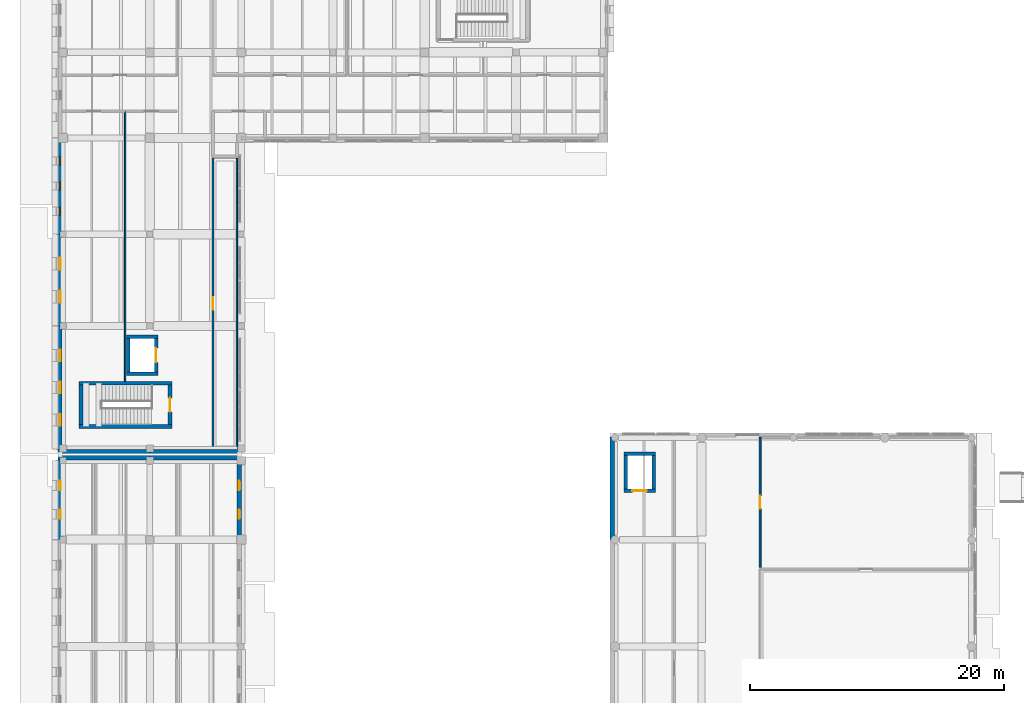
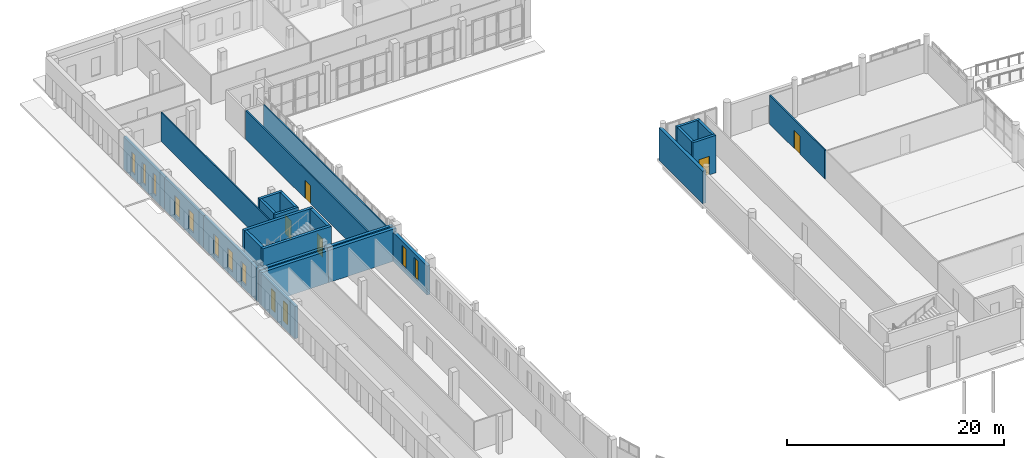
# One storey, part 56 of 77: 26 walls, 12 windows, 5 doors, 17 openings.
"""IFC4 building model written with IfcOpenShell, lengths in metres."""

from ifc_helpers import new_model, si_unit, direction, frame, frame_2d, origin, place, context, subcontext, project, spatial, rectangle, extrude, material, layer, layer_set, type_object, element, fill, save


model = new_model("IFC4")

# Units and contexts
model_context = context("Model", 3, precision=1e-05, world=origin(), true_north=direction((0.0, 1.0)))
body_context = subcontext(model_context, "Body", "Model", "MODEL_VIEW")
ifc_project = project(units=[si_unit("LENGTHUNIT", "METRE"), si_unit("AREAUNIT", "SQUARE_METRE"), si_unit("VOLUMEUNIT", "CUBIC_METRE"), si_unit("PLANEANGLEUNIT", "RADIAN"), si_unit("MASSUNIT", "GRAM", prefix="KILO")], contexts=[model_context])

# Site, building, storey
site_placement = place(None, origin())
site = spatial("IfcSite", under=ifc_project, at=site_placement, CompositionType="ELEMENT")
building_placement = place(site_placement, origin())
building = spatial("IfcBuilding", under=site, at=building_placement, Name="Vardoun Plaza Health Centre", CompositionType="ELEMENT")
storey_placement = place(building_placement, origin())
storey = spatial("IfcBuildingStorey", under=building, at=storey_placement, Name="L00", CompositionType="ELEMENT", Elevation=0.0)

# Walls
ifc_material_1 = material(Name="Concrete C40/50", Category="concrete")
ifc_layer_1 = layer(ifc_material_1, 0.27001953125)
ifc_layer_set_1 = layer_set([ifc_layer_1], Name="Concrete C40/50")
wall_type_1 = type_object("IfcWallType", Name="SW-03", PredefinedType="SHEAR", material=ifc_layer_set_1)
wall_1_placement = place(storey_placement, frame((12.3349609375, 82.949951171875, 0.0), z_axis=(0.0, 0.0, 1.0), x_axis=(-1.0, 0.0, 0.0)))
element("IfcWall", 1, at=wall_1_placement, inside=storey, type_object=wall_type_1, Name="Lift LP-01 L00 Shaft Wall S", PredefinedType="SHEAR", context=body_context, shape_type="SweptSolid", body=[
    extrude(rectangle(XDim=2.469970703125, YDim=0.27001953125, at=frame_2d((1.23486328125, 0.0))), origin(), (0.0, 0.0, 1.0), 4.235107421875),
])
wall_2_placement = place(storey_placement, frame((10.0, 83.0849609375, 0.0), z_axis=(0.0, 0.0, 1.0), x_axis=(0.0, 1.0, 0.0)))
element("IfcWall", 2, at=wall_2_placement, inside=storey, type_object=wall_type_1, Name="Lift LP-01 L00 Shaft Wall W", PredefinedType="SHEAR", context=body_context, shape_type="SweptSolid", body=[
    extrude(rectangle(XDim=2.630126953125, YDim=0.27001953125, at=frame_2d((1.31494140625, 0.0))), origin(), (0.0, 0.0, 1.0), 4.235107421875),
])
wall_3_placement = place(storey_placement, frame((9.864990234375, 85.85009765625, 0.0), z_axis=(0.0, 0.0, 1.0), x_axis=(1.0, 0.0, 0.0)))
element("IfcWall", 3, at=wall_3_placement, inside=storey, type_object=wall_type_1, Name="Lift LP-01 L00 Shaft Wall N", PredefinedType="SHEAR", context=body_context, shape_type="SweptSolid", body=[
    extrude(rectangle(XDim=2.469970703125, YDim=0.27001953125, at=frame_2d((1.23486328125, 0.0))), origin(), (0.0, 0.0, 1.0), 4.235107421875),
])

# Wall, opening, door
wall_4_placement = place(storey_placement, frame((12.199951171875, 85.715087890625, 0.0), z_axis=(0.0, 0.0, 1.0), x_axis=(0.0, -1.0, 0.0)))
wall_4 = element("IfcWall", 4, at=wall_4_placement, inside=storey, type_object=wall_type_1, Name="Lift LP-01 L00 Shaft Wall E", PredefinedType="SHEAR", context=body_context, shape_type="SweptSolid", body=[
    extrude(rectangle(XDim=2.630126953125, YDim=0.27001953125, at=frame_2d((1.31494140625, 0.0))), origin(), (0.0, 0.0, 1.0), 4.235107421875),
])
opening_1_placement = place(wall_4_placement, frame((0.7548828125, 0.0, 0.0)))
opening_1 = element("IfcOpeningElement", 5, at=opening_1_placement, cuts=wall_4, Name="Opening LD-LP-01-L00", PredefinedType="OPENING", context=body_context, shape_type="SweptSolid", body=[
    extrude(rectangle(XDim=1.1201171875, YDim=2.10009765625, at=frame_2d((0.56005859375, 1.050048828125))), frame((0.0, 0.135009765625, 0.0), z_axis=(0.0, -1.0, 0.0), x_axis=(1.0, 0.0, 0.0)), (0.0, 0.0, 1.0), 0.27001953125),
])
ifc_material_2 = material(Name="Brushed Stainless Steel Grade 316L", Category="steel")
door_type_1 = type_object("IfcDoorType", Name="LD-01", OperationType="DOUBLE_DOOR_SLIDING", PredefinedType="DOOR", material=ifc_material_2)
door_1_placement = place(opening_1_placement, origin())
door_1 = element("IfcDoor", 6, at=door_1_placement, inside=storey, type_object=door_type_1, Name="Lift LP-01 L00 Sliding Landing Door", OperationType="DOUBLE_DOOR_SLIDING", OverallHeight=2.10009765625, OverallWidth=1.1201171875, PredefinedType="DOOR", context=body_context, shape_type="SweptSolid", body=[
    extrude(rectangle(XDim=1.1201171875, YDim=2.10009765625, at=frame_2d((0.56005859375, 1.050048828125))), frame((0.0, 0.02490234375, 0.0), z_axis=(0.0, -1.0, 0.0), x_axis=(1.0, 0.0, 0.0)), (0.0, 0.0, 1.0), 0.050048828125),
])
fill(opening_1, door_1)

wall_5_placement = place(storey_placement, frame((51.43505859375, 73.75, 0.0), z_axis=(0.0, 0.0, 1.0), x_axis=(-1.0, 0.0, 0.0)))
wall_5 = element("IfcWall", 7, at=wall_5_placement, inside=storey, type_object=wall_type_1, Name="Lift LP-02 L00 Shaft Wall S", PredefinedType="SHEAR", context=body_context, shape_type="SweptSolid", body=[
    extrude(rectangle(XDim=2.469970703125, YDim=0.27001953125, at=frame_2d((1.23486328125, 0.0))), origin(), (0.0, 0.0, 1.0), 4.219970703125),
])
opening_2_placement = place(wall_5_placement, frame((0.675048828125, 0.0, 0.0)))
opening_2 = element("IfcOpeningElement", 8, at=opening_2_placement, cuts=wall_5, Name="Opening LD-LP-02-L00", PredefinedType="OPENING", context=body_context, shape_type="SweptSolid", body=[
    extrude(rectangle(XDim=1.1201171875, YDim=2.10009765625, at=frame_2d((0.56005859375, 1.050048828125))), frame((0.0, 0.135009765625, 0.0), z_axis=(0.0, -1.0, 0.0), x_axis=(1.0, 0.0, 0.0)), (0.0, 0.0, 1.0), 0.27001953125),
])
door_2_placement = place(opening_2_placement, origin())
door_2 = element("IfcDoor", 9, at=door_2_placement, inside=storey, type_object=door_type_1, Name="Lift LP-02 L00 Sliding Landing Door", OperationType="DOUBLE_DOOR_SLIDING", OverallHeight=2.10009765625, OverallWidth=1.1201171875, PredefinedType="DOOR", context=body_context, shape_type="SweptSolid", body=[
    extrude(rectangle(XDim=1.1201171875, YDim=2.10009765625, at=frame_2d((0.56005859375, 1.050048828125))), frame((0.0, 0.02490234375, 0.0), z_axis=(0.0, -1.0, 0.0), x_axis=(1.0, 0.0, 0.0)), (0.0, 0.0, 1.0), 0.050048828125),
])
fill(opening_2, door_2)

# Walls
wall_6_placement = place(storey_placement, frame((49.10009765625, 73.885009765625, 0.0), z_axis=(0.0, 0.0, 1.0), x_axis=(0.0, 1.0, 0.0)))
element("IfcWall", 10, at=wall_6_placement, inside=storey, type_object=wall_type_1, Name="Lift LP-02 L00 Shaft Wall W", PredefinedType="SHEAR", context=body_context, shape_type="SweptSolid", body=[
    extrude(rectangle(XDim=2.6298828125, YDim=0.27001953125, at=frame_2d((1.31494140625, 0.0))), origin(), (0.0, 0.0, 1.0), 4.219970703125),
])
wall_7_placement = place(storey_placement, frame((48.965087890625, 76.64990234375, 0.0), z_axis=(0.0, 0.0, 1.0), x_axis=(1.0, 0.0, 0.0)))
element("IfcWall", 11, at=wall_7_placement, inside=storey, type_object=wall_type_1, Name="Lift LP-02 L00 Shaft Wall N", PredefinedType="SHEAR", context=body_context, shape_type="SweptSolid", body=[
    extrude(rectangle(XDim=2.469970703125, YDim=0.27001953125, at=frame_2d((1.23486328125, 0.0))), origin(), (0.0, 0.0, 1.0), 4.219970703125),
])
wall_8_placement = place(storey_placement, frame((51.300048828125, 76.514892578125, 0.0), z_axis=(0.0, 0.0, 1.0), x_axis=(0.0, -1.0, 0.0)))
element("IfcWall", 12, at=wall_8_placement, inside=storey, type_object=wall_type_1, Name="Lift LP-02 L00 Shaft Wall E", PredefinedType="SHEAR", context=body_context, shape_type="SweptSolid", body=[
    extrude(rectangle(XDim=2.6298828125, YDim=0.27001953125, at=frame_2d((1.31494140625, 0.0))), origin(), (0.0, 0.0, 1.0), 4.219970703125),
])
ifc_material_3 = material(Name="Concrete C40/50", Category="concrete")
ifc_layer_2 = layer(ifc_material_3, 0.300048828125)
ifc_layer_set_2 = layer_set([ifc_layer_2], Name="Concrete C40/50")
wall_type_2 = type_object("IfcWallType", Name="SW-01", PredefinedType="SHEAR", material=ifc_layer_set_2)
wall_9_placement = place(storey_placement, frame((13.449951171875, 78.800048828125, 0.0), z_axis=(0.0, 0.0, 1.0), x_axis=(-1.0, 0.0, 0.0)))
element("IfcWall", 13, at=wall_9_placement, inside=storey, type_object=wall_type_2, Name="Core C3 L00 Shear Wall S", PredefinedType="SHEAR", context=body_context, shape_type="SweptSolid", body=[
    extrude(rectangle(XDim=7.300048828125, YDim=0.300048828125, at=frame_2d((3.64990234375, 0.0))), origin(), (0.0, 0.0, 1.0), 4.235107421875),
])
wall_10_placement = place(storey_placement, frame((6.300048828125, 78.949951171875, 0.0), z_axis=(0.0, 0.0, 1.0), x_axis=(0.0, 1.0, 0.0)))
element("IfcWall", 14, at=wall_10_placement, inside=storey, type_object=wall_type_2, Name="Core C3 L00 Shear Wall W", PredefinedType="SHEAR", context=body_context, shape_type="SweptSolid", body=[
    extrude(rectangle(XDim=3.10009765625, YDim=0.300048828125, at=frame_2d((1.550048828125, 0.0))), origin(), (0.0, 0.0, 1.0), 4.235107421875),
])
wall_11_placement = place(storey_placement, frame((6.14990234375, 82.199951171875, 0.0), z_axis=(0.0, 0.0, 1.0), x_axis=(1.0, 0.0, 0.0)))
element("IfcWall", 15, at=wall_11_placement, inside=storey, type_object=wall_type_2, Name="Core C3 L00 Shear Wall N", PredefinedType="SHEAR", context=body_context, shape_type="SweptSolid", body=[
    extrude(rectangle(XDim=7.300048828125, YDim=0.300048828125, at=frame_2d((3.64990234375, 0.0))), origin(), (0.0, 0.0, 1.0), 4.235107421875),
])

# Wall, opening, door
wall_12_placement = place(storey_placement, frame((13.300048828125, 82.050048828125, 0.0), z_axis=(0.0, 0.0, 1.0), x_axis=(0.0, -1.0, 0.0)))
wall_12 = element("IfcWall", 16, at=wall_12_placement, inside=storey, type_object=wall_type_2, Name="Core C3 L00 Shear Wall E", PredefinedType="SHEAR", context=body_context, shape_type="SweptSolid", body=[
    extrude(rectangle(XDim=3.10009765625, YDim=0.300048828125, at=frame_2d((1.550048828125, 0.0))), origin(), (0.0, 0.0, 1.0), 4.235107421875),
])
opening_3_placement = place(wall_12_placement, frame((1.0, 0.0, 0.0)))
opening_3 = element("IfcOpeningElement", 17, at=opening_3_placement, cuts=wall_12, Name="Opening SD-C3-L00", PredefinedType="OPENING", context=body_context, shape_type="SweptSolid", body=[
    extrude(rectangle(XDim=1.10009765625, YDim=2.050048828125, at=frame_2d((0.550048828125, 1.02490234375))), frame((0.0, 0.14990234375, 0.0), z_axis=(0.0, -1.0, 0.0), x_axis=(1.0, 0.0, 0.0)), (0.0, 0.0, 1.0), 0.300048828125),
])
ifc_material_4 = material(Name="Brushed Stainless Steel Grade 316L", Category="steel")
door_type_2 = type_object("IfcDoorType", Name="FD-01", OperationType="NOTDEFINED", PredefinedType="DOOR", material=ifc_material_4)
door_3_placement = place(opening_3_placement, origin())
door_3 = element("IfcDoor", 18, at=door_3_placement, inside=storey, type_object=door_type_2, Name="Stair C3 L00 Fire Door", OperationType="SINGLE_SWING_LEFT", OverallHeight=2.050048828125, OverallWidth=1.10009765625, PredefinedType="DOOR", context=body_context, shape_type="SweptSolid", body=[
    extrude(rectangle(XDim=1.10009765625, YDim=2.050048828125, at=frame_2d((0.550048828125, 1.02490234375))), frame((0.0, 0.02490234375, 0.0), z_axis=(0.0, -1.0, 0.0), x_axis=(1.0, 0.0, 0.0)), (0.0, 0.0, 1.0), 0.050048828125),
])
fill(opening_3, door_3)

# Walls
ifc_material_5 = material(Name="Pale Limestone Concrete C35/45", Category="masonry")
ifc_layer_3 = layer(ifc_material_5, 0.31494140625)
ifc_layer_set_3 = layer_set([ifc_layer_3], Name="Pale Limestone Concrete C35/45")
wall_type_3 = type_object("IfcWallType", Name="EW-03", PredefinedType="SOLIDWALL", material=ifc_layer_set_3)
for number, where, z_axis, x_axis, name in (
    (19, (18.89990234375, 76.83740234375, 0.0), (0.0, 0.0, 1.0), (-1.0, 0.0, 0.0), "V3 L00 Exterior Wall EW-V3-252"),
    (20, (11.699951171875, 76.83740234375, 0.0), (0.0, 0.0, 1.0), (-1.0, 0.0, 0.0), "V3 L00 Exterior Wall EW-V3-253"),
):
    element("IfcWall", number, at=place(storey_placement, frame(where, z_axis=z_axis, x_axis=x_axis)), inside=storey, type_object=wall_type_3, Name=name, PredefinedType="SOLIDWALL", context=body_context, shape_type="SweptSolid", body=[
        extrude(rectangle(XDim=7.199951171875, YDim=0.31494140625, at=frame_2d((3.60009765625, 0.0))), origin(), (0.0, 0.0, 1.0), 3.60009765625),
    ])

# Wall, openings, windows
wall_13_placement = place(storey_placement, frame((4.657470703125, 76.9951171875, 0.0), z_axis=(0.0, 0.0, 1.0), x_axis=(0.0, 1.0, 0.0)))
wall_13 = element("IfcWall", 21, at=wall_13_placement, inside=storey, type_object=wall_type_3, Name="V3 L00 Exterior Wall EW-V3-254", PredefinedType="SOLIDWALL", context=body_context, shape_type="SweptSolid", body=[
    extrude(rectangle(XDim=9.704833984375, YDim=0.31494140625, at=frame_2d((4.8525390625, 0.0))), origin(), (0.0, 0.0, 1.0), 3.669921875),
])
opening_4_placement = place(wall_13_placement, frame((1.879150390625, 0.0, 0.550048828125)))
opening_4 = element("IfcOpeningElement", 22, at=opening_4_placement, cuts=wall_13, Name="Opening W-09-001", PredefinedType="OPENING", context=body_context, shape_type="SweptSolid", body=[
    extrude(rectangle(XDim=0.89990234375, YDim=2.179931640625, at=frame_2d((0.449951171875, 1.08984375))), frame((0.0, 0.157470703125, 0.0), z_axis=(0.0, -1.0, 0.0), x_axis=(1.0, 0.0, 0.0)), (0.0, 0.0, 1.0), 0.31494140625),
])
opening_5_placement = place(wall_13_placement, frame((4.402587890625, 0.0, 0.550048828125)))
opening_5 = element("IfcOpeningElement", 23, at=opening_5_placement, cuts=wall_13, Name="Opening W-09-002", PredefinedType="OPENING", context=body_context, shape_type="SweptSolid", body=[
    extrude(rectangle(XDim=0.89990234375, YDim=2.179931640625, at=frame_2d((0.449951171875, 1.08984375))), frame((0.0, 0.157470703125, 0.0), z_axis=(0.0, -1.0, 0.0), x_axis=(1.0, 0.0, 0.0)), (0.0, 0.0, 1.0), 0.31494140625),
])
opening_6_placement = place(wall_13_placement, frame((6.92578125, 0.0, 0.550048828125)))
opening_6 = element("IfcOpeningElement", 24, at=opening_6_placement, cuts=wall_13, Name="Opening W-09-003", PredefinedType="OPENING", context=body_context, shape_type="SweptSolid", body=[
    extrude(rectangle(XDim=0.89990234375, YDim=2.179931640625, at=frame_2d((0.449951171875, 1.08984375))), frame((0.0, 0.157470703125, 0.0), z_axis=(0.0, -1.0, 0.0), x_axis=(1.0, 0.0, 0.0)), (0.0, 0.0, 1.0), 0.31494140625),
])
ifc_material_6 = material(Name="Aluminium Alloy EN AW-6063-T6 and Low-E Glass", Category="aluminium")
window_type_1 = type_object("IfcWindowType", Name="W-09", PartitioningType="DOUBLE_PANEL_VERTICAL", PredefinedType="WINDOW", material=ifc_material_6)
window_1_placement = place(opening_4_placement, origin())
window_1 = element("IfcWindow", 25, at=window_1_placement, inside=storey, type_object=window_type_1, Name="V3 L00 Deep-Punched Slot Window W-09-374", OverallHeight=2.179931640625, OverallWidth=0.89990234375, PartitioningType="DOUBLE_PANEL_VERTICAL", PredefinedType="WINDOW", context=body_context, shape_type="SweptSolid", body=[
    extrude(rectangle(XDim=0.89990234375, YDim=2.179931640625, at=frame_2d((0.449951171875, 1.08984375))), frame((0.0, 0.030029296875, 0.0), z_axis=(0.0, -1.0, 0.0), x_axis=(1.0, 0.0, 0.0)), (0.0, 0.0, 1.0), 0.06005859375),
])
fill(opening_4, window_1)
window_2_placement = place(opening_5_placement, origin())
window_2 = element("IfcWindow", 26, at=window_2_placement, inside=storey, type_object=window_type_1, Name="V3 L00 Deep-Punched Slot Window W-09-375", OverallHeight=2.179931640625, OverallWidth=0.89990234375, PartitioningType="DOUBLE_PANEL_VERTICAL", PredefinedType="WINDOW", context=body_context, shape_type="SweptSolid", body=[
    extrude(rectangle(XDim=0.89990234375, YDim=2.179931640625, at=frame_2d((0.449951171875, 1.08984375))), frame((0.0, 0.030029296875, 0.0), z_axis=(0.0, -1.0, 0.0), x_axis=(1.0, 0.0, 0.0)), (0.0, 0.0, 1.0), 0.06005859375),
])
fill(opening_5, window_2)
window_3_placement = place(opening_6_placement, origin())
window_3 = element("IfcWindow", 27, at=window_3_placement, inside=storey, type_object=window_type_1, Name="V3 L00 Deep-Punched Slot Window W-09-376", OverallHeight=2.179931640625, OverallWidth=0.89990234375, PartitioningType="DOUBLE_PANEL_VERTICAL", PredefinedType="WINDOW", context=body_context, shape_type="SweptSolid", body=[
    extrude(rectangle(XDim=0.89990234375, YDim=2.179931640625, at=frame_2d((0.449951171875, 1.08984375))), frame((0.0, 0.030029296875, 0.0), z_axis=(0.0, -1.0, 0.0), x_axis=(1.0, 0.0, 0.0)), (0.0, 0.0, 1.0), 0.06005859375),
])
fill(opening_6, window_3)

wall_14_placement = place(storey_placement, frame((4.657470703125, 86.699951171875, 0.0), z_axis=(0.0, 0.0, 1.0), x_axis=(0.0, 1.0, 0.0)))
wall_14 = element("IfcWall", 28, at=wall_14_placement, inside=storey, type_object=wall_type_3, Name="V3 L00 Exterior Wall EW-V3-255", PredefinedType="SOLIDWALL", context=body_context, shape_type="SweptSolid", body=[
    extrude(rectangle(XDim=7.199951171875, YDim=0.31494140625, at=frame_2d((3.60009765625, 0.0))), origin(), (0.0, 0.0, 1.0), 3.60009765625),
])
opening_7_placement = place(wall_14_placement, frame((1.833984375, 0.0, 0.550048828125)))
opening_7 = element("IfcOpeningElement", 29, at=opening_7_placement, cuts=wall_14, Name="Opening W-10-001", PredefinedType="OPENING", context=body_context, shape_type="SweptSolid", body=[
    extrude(rectangle(XDim=0.93994140625, YDim=2.179931640625, at=frame_2d((0.469970703125, 1.08984375))), frame((0.0, 0.157470703125, 0.0), z_axis=(0.0, -1.0, 0.0), x_axis=(1.0, 0.0, 0.0)), (0.0, 0.0, 1.0), 0.31494140625),
])
opening_8_placement = place(wall_14_placement, frame((4.426025390625, 0.0, 0.550048828125)))
opening_8 = element("IfcOpeningElement", 30, at=opening_8_placement, cuts=wall_14, Name="Opening W-10-002", PredefinedType="OPENING", context=body_context, shape_type="SweptSolid", body=[
    extrude(rectangle(XDim=0.93994140625, YDim=2.179931640625, at=frame_2d((0.469970703125, 1.08984375))), frame((0.0, 0.157470703125, 0.0), z_axis=(0.0, -1.0, 0.0), x_axis=(1.0, 0.0, 0.0)), (0.0, 0.0, 1.0), 0.31494140625),
])
ifc_material_7 = material(Name="Aluminium Alloy EN AW-6063-T6 and Low-E Glass", Category="aluminium")
window_type_2 = type_object("IfcWindowType", Name="W-10", PartitioningType="DOUBLE_PANEL_VERTICAL", PredefinedType="WINDOW", material=ifc_material_7)
window_4_placement = place(opening_7_placement, origin())
window_4 = element("IfcWindow", 31, at=window_4_placement, inside=storey, type_object=window_type_2, Name="V3 L00 Deep-Punched Slot Window W-10-377", OverallHeight=2.179931640625, OverallWidth=0.93994140625, PartitioningType="DOUBLE_PANEL_VERTICAL", PredefinedType="WINDOW", context=body_context, shape_type="SweptSolid", body=[
    extrude(rectangle(XDim=0.93994140625, YDim=2.179931640625, at=frame_2d((0.469970703125, 1.08984375))), frame((0.0, 0.030029296875, 0.0), z_axis=(0.0, -1.0, 0.0), x_axis=(1.0, 0.0, 0.0)), (0.0, 0.0, 1.0), 0.06005859375),
])
fill(opening_7, window_4)
window_5_placement = place(opening_8_placement, origin())
window_5 = element("IfcWindow", 32, at=window_5_placement, inside=storey, type_object=window_type_2, Name="V3 L00 Deep-Punched Slot Window W-10-378", OverallHeight=2.179931640625, OverallWidth=0.93994140625, PartitioningType="DOUBLE_PANEL_VERTICAL", PredefinedType="WINDOW", context=body_context, shape_type="SweptSolid", body=[
    extrude(rectangle(XDim=0.93994140625, YDim=2.179931640625, at=frame_2d((0.469970703125, 1.08984375))), frame((0.0, 0.030029296875, 0.0), z_axis=(0.0, -1.0, 0.0), x_axis=(1.0, 0.0, 0.0)), (0.0, 0.0, 1.0), 0.06005859375),
])
fill(opening_8, window_5)

wall_15_placement = place(storey_placement, frame((4.657470703125, 93.89990234375, 0.0), z_axis=(0.0, 0.0, 1.0), x_axis=(0.0, 1.0, 0.0)))
wall_15 = element("IfcWall", 33, at=wall_15_placement, inside=storey, type_object=wall_type_3, Name="V3 L00 Exterior Wall EW-V3-256", PredefinedType="SOLIDWALL", context=body_context, shape_type="SweptSolid", body=[
    extrude(rectangle(XDim=7.580078125, YDim=0.31494140625, at=frame_2d((3.7900390625, 0.0))), origin(), (0.0, 0.0, 1.0), 3.60009765625),
])
opening_9_placement = place(wall_15_placement, frame((1.519287109375, 0.0, 0.550048828125)))
opening_9 = element("IfcOpeningElement", 34, at=opening_9_placement, cuts=wall_15, Name="Opening W-11-004", PredefinedType="OPENING", context=body_context, shape_type="SweptSolid", body=[
    extrude(rectangle(XDim=0.60009765625, YDim=2.280029296875, at=frame_2d((0.300048828125, 1.14013671875))), frame((0.0, 0.157470703125, 0.0), z_axis=(0.0, -1.0, 0.0), x_axis=(1.0, 0.0, 0.0)), (0.0, 0.0, 1.0), 0.31494140625),
])
opening_10_placement = place(wall_15_placement, frame((3.489990234375, 0.0, 0.550048828125)))
opening_10 = element("IfcOpeningElement", 35, at=opening_10_placement, cuts=wall_15, Name="Opening W-11-005", PredefinedType="OPENING", context=body_context, shape_type="SweptSolid", body=[
    extrude(rectangle(XDim=0.60009765625, YDim=2.280029296875, at=frame_2d((0.300048828125, 1.14013671875))), frame((0.0, 0.157470703125, 0.0), z_axis=(0.0, -1.0, 0.0), x_axis=(1.0, 0.0, 0.0)), (0.0, 0.0, 1.0), 0.31494140625),
])
opening_11_placement = place(wall_15_placement, frame((5.460693359375, 0.0, 0.550048828125)))
opening_11 = element("IfcOpeningElement", 36, at=opening_11_placement, cuts=wall_15, Name="Opening W-11-006", PredefinedType="OPENING", context=body_context, shape_type="SweptSolid", body=[
    extrude(rectangle(XDim=0.60009765625, YDim=2.280029296875, at=frame_2d((0.300048828125, 1.14013671875))), frame((0.0, 0.157470703125, 0.0), z_axis=(0.0, -1.0, 0.0), x_axis=(1.0, 0.0, 0.0)), (0.0, 0.0, 1.0), 0.31494140625),
])
ifc_material_8 = material(Name="Aluminium Alloy EN AW-6063-T6 and Low-E Glass", Category="aluminium")
window_type_3 = type_object("IfcWindowType", Name="W-11", PartitioningType="SINGLE_PANEL", PredefinedType="WINDOW", material=ifc_material_8)
window_6_placement = place(opening_9_placement, origin())
window_6 = element("IfcWindow", 37, at=window_6_placement, inside=storey, type_object=window_type_3, Name="V3 L00 Deep-Punched Slot Window W-11-379", OverallHeight=2.280029296875, OverallWidth=0.60009765625, PartitioningType="SINGLE_PANEL", PredefinedType="WINDOW", context=body_context, shape_type="SweptSolid", body=[
    extrude(rectangle(XDim=0.60009765625, YDim=2.280029296875, at=frame_2d((0.300048828125, 1.14013671875))), frame((0.0, 0.030029296875, 0.0), z_axis=(0.0, -1.0, 0.0), x_axis=(1.0, 0.0, 0.0)), (0.0, 0.0, 1.0), 0.06005859375),
])
fill(opening_9, window_6)
window_7_placement = place(opening_10_placement, origin())
window_7 = element("IfcWindow", 38, at=window_7_placement, inside=storey, type_object=window_type_3, Name="V3 L00 Deep-Punched Slot Window W-11-380", OverallHeight=2.280029296875, OverallWidth=0.60009765625, PartitioningType="SINGLE_PANEL", PredefinedType="WINDOW", context=body_context, shape_type="SweptSolid", body=[
    extrude(rectangle(XDim=0.60009765625, YDim=2.280029296875, at=frame_2d((0.300048828125, 1.14013671875))), frame((0.0, 0.030029296875, 0.0), z_axis=(0.0, -1.0, 0.0), x_axis=(1.0, 0.0, 0.0)), (0.0, 0.0, 1.0), 0.06005859375),
])
fill(opening_10, window_7)
window_8_placement = place(opening_11_placement, origin())
window_8 = element("IfcWindow", 39, at=window_8_placement, inside=storey, type_object=window_type_3, Name="V3 L00 Deep-Punched Slot Window W-11-381", OverallHeight=2.280029296875, OverallWidth=0.60009765625, PartitioningType="SINGLE_PANEL", PredefinedType="WINDOW", context=body_context, shape_type="SweptSolid", body=[
    extrude(rectangle(XDim=0.60009765625, YDim=2.280029296875, at=frame_2d((0.300048828125, 1.14013671875))), frame((0.0, 0.030029296875, 0.0), z_axis=(0.0, -1.0, 0.0), x_axis=(1.0, 0.0, 0.0)), (0.0, 0.0, 1.0), 0.06005859375),
])
fill(opening_11, window_8)

# Walls
ifc_material_9 = material(Name="Pale Limestone Concrete C35/45", Category="masonry")
ifc_layer_4 = layer(ifc_material_9, 0.330078125)
ifc_layer_set_4 = layer_set([ifc_layer_4], Name="Pale Limestone Concrete C35/45")
wall_type_4 = type_object("IfcWallType", Name="EW-02", PredefinedType="SOLIDWALL", material=ifc_layer_set_4)
wall_16_placement = place(storey_placement, frame((48.044921875, 69.89990234375, 0.0), z_axis=(0.0, 0.0, 1.0), x_axis=(0.0, 1.0, 0.0)))
element("IfcWall", 40, at=wall_16_placement, inside=storey, type_object=wall_type_4, Name="V1 L00 Exterior Wall EW-V1-029", PredefinedType="SOLIDWALL", context=body_context, shape_type="SweptSolid", body=[
    extrude(rectangle(XDim=8.070068359375, YDim=0.330078125, at=frame_2d((4.03515625, 0.0))), origin(), (0.0, 0.0, 1.0), 3.655029296875),
])
ifc_material_10 = material(Name="Pale Limestone Concrete C35/45", Category="masonry")
ifc_layer_5 = layer(ifc_material_10, 0.344970703125)
ifc_layer_set_5 = layer_set([ifc_layer_5], Name="Pale Limestone Concrete C35/45")
wall_type_5 = type_object("IfcWallType", Name="EW-01", PredefinedType="SOLIDWALL", material=ifc_layer_set_5)
for number, where, z_axis, x_axis, name in (
    (41, (4.5, 76.327392578125, 0.0), (0.0, 0.0, 1.0), (1.0, 0.0, 0.0), "V2 L00 Exterior Wall EW-V2-072"),
    (42, (11.699951171875, 76.327392578125, 0.0), (0.0, 0.0, 1.0), (1.0, 0.0, 0.0), "V2 L00 Exterior Wall EW-V2-073"),
):
    element("IfcWall", number, at=place(storey_placement, frame(where, z_axis=z_axis, x_axis=x_axis)), inside=storey, type_object=wall_type_5, Name=name, PredefinedType="SOLIDWALL", context=body_context, shape_type="SweptSolid", body=[
        extrude(rectangle(XDim=7.199951171875, YDim=0.344970703125, at=frame_2d((3.60009765625, 0.0))), origin(), (0.0, 0.0, 1.0), 3.625),
    ])

# Wall, openings, windows
wall_17_placement = place(storey_placement, frame((18.7275390625, 76.155029296875, 0.0), z_axis=(0.0, 0.0, 1.0), x_axis=(0.0, -1.0, 0.0)))
wall_17 = element("IfcWall", 43, at=wall_17_placement, inside=storey, type_object=wall_type_5, Name="V2 L00 Exterior Wall EW-V2-074", PredefinedType="SOLIDWALL", context=body_context, shape_type="SweptSolid", body=[
    extrude(rectangle(XDim=6.255126953125, YDim=0.344970703125, at=frame_2d((3.12744140625, 0.0))), origin(), (0.0, 0.0, 1.0), 3.2548828125),
])
opening_12_placement = place(wall_17_placement, frame((1.631591796875, 0.0, 0.550048828125)))
opening_12 = element("IfcOpeningElement", 44, at=opening_12_placement, cuts=wall_17, Name="Opening W-05-001", PredefinedType="OPENING", context=body_context, shape_type="SweptSolid", body=[
    extrude(rectangle(XDim=0.739990234375, YDim=2.25, at=frame_2d((0.3701171875, 1.125))), frame((0.0, 0.17236328125, 0.0), z_axis=(0.0, -1.0, 0.0), x_axis=(1.0, 0.0, 0.0)), (0.0, 0.0, 1.0), 0.344970703125),
])
opening_13_placement = place(wall_17_placement, frame((3.88330078125, 0.0, 0.550048828125)))
opening_13 = element("IfcOpeningElement", 45, at=opening_13_placement, cuts=wall_17, Name="Opening W-05-002", PredefinedType="OPENING", context=body_context, shape_type="SweptSolid", body=[
    extrude(rectangle(XDim=0.739990234375, YDim=2.25, at=frame_2d((0.3701171875, 1.125))), frame((0.0, 0.17236328125, 0.0), z_axis=(0.0, -1.0, 0.0), x_axis=(1.0, 0.0, 0.0)), (0.0, 0.0, 1.0), 0.344970703125),
])
ifc_material_11 = material(Name="Aluminium Alloy EN AW-6063-T6 and Low-E Glass", Category="aluminium")
window_type_4 = type_object("IfcWindowType", Name="W-05", PartitioningType="SINGLE_PANEL", PredefinedType="WINDOW", material=ifc_material_11)
window_9_placement = place(opening_12_placement, origin())
window_9 = element("IfcWindow", 46, at=window_9_placement, inside=storey, type_object=window_type_4, Name="V2 L00 Deep-Punched Slot Window W-05-001", OverallHeight=2.25, OverallWidth=0.739990234375, PartitioningType="SINGLE_PANEL", PredefinedType="WINDOW", context=body_context, shape_type="SweptSolid", body=[
    extrude(rectangle(XDim=0.739990234375, YDim=2.25, at=frame_2d((0.3701171875, 1.125))), frame((0.0, 0.030029296875, 0.0), z_axis=(0.0, -1.0, 0.0), x_axis=(1.0, 0.0, 0.0)), (0.0, 0.0, 1.0), 0.06005859375),
])
fill(opening_12, window_9)
window_10_placement = place(opening_13_placement, origin())
window_10 = element("IfcWindow", 47, at=window_10_placement, inside=storey, type_object=window_type_4, Name="V2 L00 Deep-Punched Slot Window W-05-002", OverallHeight=2.25, OverallWidth=0.739990234375, PartitioningType="SINGLE_PANEL", PredefinedType="WINDOW", context=body_context, shape_type="SweptSolid", body=[
    extrude(rectangle(XDim=0.739990234375, YDim=2.25, at=frame_2d((0.3701171875, 1.125))), frame((0.0, 0.030029296875, 0.0), z_axis=(0.0, -1.0, 0.0), x_axis=(1.0, 0.0, 0.0)), (0.0, 0.0, 1.0), 0.06005859375),
])
fill(opening_13, window_10)

wall_18_placement = place(storey_placement, frame((4.672607421875, 69.89990234375, 0.0), z_axis=(0.0, 0.0, 1.0), x_axis=(0.0, 1.0, 0.0)))
wall_18 = element("IfcWall", 48, at=wall_18_placement, inside=storey, type_object=wall_type_5, Name="V2 L00 Exterior Wall EW-V2-098", PredefinedType="SOLIDWALL", context=body_context, shape_type="SweptSolid", body=[
    extrude(rectangle(XDim=6.255126953125, YDim=0.344970703125, at=frame_2d((3.12744140625, 0.0))), origin(), (0.0, 0.0, 1.0), 3.625),
])
opening_14_placement = place(wall_18_placement, frame((1.631591796875, 0.0, 0.550048828125)))
opening_14 = element("IfcOpeningElement", 49, at=opening_14_placement, cuts=wall_18, Name="Opening W-05-003", PredefinedType="OPENING", context=body_context, shape_type="SweptSolid", body=[
    extrude(rectangle(XDim=0.739990234375, YDim=2.25, at=frame_2d((0.3701171875, 1.125))), frame((0.0, 0.17236328125, 0.0), z_axis=(0.0, -1.0, 0.0), x_axis=(1.0, 0.0, 0.0)), (0.0, 0.0, 1.0), 0.344970703125),
])
opening_15_placement = place(wall_18_placement, frame((3.88330078125, 0.0, 0.550048828125)))
opening_15 = element("IfcOpeningElement", 50, at=opening_15_placement, cuts=wall_18, Name="Opening W-05-004", PredefinedType="OPENING", context=body_context, shape_type="SweptSolid", body=[
    extrude(rectangle(XDim=0.739990234375, YDim=2.25, at=frame_2d((0.3701171875, 1.125))), frame((0.0, 0.17236328125, 0.0), z_axis=(0.0, -1.0, 0.0), x_axis=(1.0, 0.0, 0.0)), (0.0, 0.0, 1.0), 0.344970703125),
])
window_11_placement = place(opening_14_placement, origin())
window_11 = element("IfcWindow", 51, at=window_11_placement, inside=storey, type_object=window_type_4, Name="V2 L00 Deep-Punched Slot Window W-05-050", OverallHeight=2.25, OverallWidth=0.739990234375, PartitioningType="SINGLE_PANEL", PredefinedType="WINDOW", context=body_context, shape_type="SweptSolid", body=[
    extrude(rectangle(XDim=0.739990234375, YDim=2.25, at=frame_2d((0.3701171875, 1.125))), frame((0.0, 0.030029296875, 0.0), z_axis=(0.0, -1.0, 0.0), x_axis=(1.0, 0.0, 0.0)), (0.0, 0.0, 1.0), 0.06005859375),
])
fill(opening_14, window_11)
window_12_placement = place(opening_15_placement, origin())
window_12 = element("IfcWindow", 52, at=window_12_placement, inside=storey, type_object=window_type_4, Name="V2 L00 Deep-Punched Slot Window W-05-051", OverallHeight=2.25, OverallWidth=0.739990234375, PartitioningType="SINGLE_PANEL", PredefinedType="WINDOW", context=body_context, shape_type="SweptSolid", body=[
    extrude(rectangle(XDim=0.739990234375, YDim=2.25, at=frame_2d((0.3701171875, 1.125))), frame((0.0, 0.030029296875, 0.0), z_axis=(0.0, -1.0, 0.0), x_axis=(1.0, 0.0, 0.0)), (0.0, 0.0, 1.0), 0.06005859375),
])
fill(opening_15, window_12)

# Wall, opening, door
ifc_material_12 = material(Name="Acoustic Gypsum Twin-Stud", Category="steel")
ifc_layer_6 = layer(ifc_material_12, 0.14990234375)
ifc_layer_set_6 = layer_set([ifc_layer_6], Name="Acoustic Gypsum Twin-Stud")
wall_type_6 = type_object("IfcWallType", Name="IW-04", PredefinedType="PARTITIONING", material=ifc_layer_set_6)
wall_19_placement = place(storey_placement, frame((59.669921875, 67.7451171875, 0.0), z_axis=(0.0, 0.0, 1.0), x_axis=(0.0, 1.0, 0.0)))
wall_19 = element("IfcWall", 53, at=wall_19_placement, inside=storey, type_object=wall_type_6, Name="Urgent Care Triage Room 2 Partition Wall", PredefinedType="PARTITIONING", context=body_context, shape_type="SweptSolid", body=[
    extrude(rectangle(XDim=10.204833984375, YDim=0.14990234375, at=frame_2d((5.1025390625, 0.0))), origin(), (0.0, 0.0, 1.0), 3.239990234375),
])
opening_16_placement = place(wall_19_placement, frame((4.58251953125, 0.0, 0.0)))
opening_16 = element("IfcOpeningElement", 54, at=opening_16_placement, cuts=wall_19, Name="Opening D-L00-009", PredefinedType="OPENING", context=body_context, shape_type="SweptSolid", body=[
    extrude(rectangle(XDim=1.0400390625, YDim=2.050048828125, at=frame_2d((0.52001953125, 1.02490234375))), frame((0.0, 0.074951171875, 0.0), z_axis=(0.0, -1.0, 0.0), x_axis=(1.0, 0.0, 0.0)), (0.0, 0.0, 1.0), 0.14990234375),
])
ifc_material_13 = material(Name="Antimicrobial Acoustic Timber and Steel S275JR", Category="steel")
door_type_3 = type_object("IfcDoorType", Name="CD-04", OperationType="NOTDEFINED", PredefinedType="DOOR", material=ifc_material_13)
door_4_placement = place(opening_16_placement, origin())
door_4 = element("IfcDoor", 55, at=door_4_placement, inside=storey, type_object=door_type_3, Name="Urgent Care Triage Room 2 Door D-L00-009", OperationType="SINGLE_SWING_LEFT", OverallHeight=2.050048828125, OverallWidth=1.0400390625, PredefinedType="DOOR", context=body_context, shape_type="SweptSolid", body=[
    extrude(rectangle(XDim=1.0400390625, YDim=2.050048828125, at=frame_2d((0.52001953125, 1.02490234375))), frame((0.0, 0.02490234375, 0.0), z_axis=(0.0, -1.0, 0.0), x_axis=(1.0, 0.0, 0.0)), (0.0, 0.0, 1.0), 0.050048828125),
])
fill(opening_16, door_4)

wall_20_placement = place(storey_placement, frame((16.669921875, 77.030029296875, 0.0), z_axis=(0.0, 0.0, 1.0), x_axis=(0.0, 1.0, 0.0)))
wall_20 = element("IfcWall", 56, at=wall_20_placement, inside=storey, type_object=wall_type_6, Name="Paediatric Consulting Room 02 B Partition Wall", PredefinedType="PARTITIONING", context=body_context, shape_type="SweptSolid", body=[
    extrude(rectangle(XDim=22.859130859375, YDim=0.14990234375, at=frame_2d((11.4296875, 0.0))), origin(), (0.0, 0.0, 1.0), 3.2548828125),
])
opening_17_placement = place(wall_20_placement, frame((10.929443359375, 0.0, 0.0)))
opening_17 = element("IfcOpeningElement", 57, at=opening_17_placement, cuts=wall_20, Name="Opening D-L00-087", PredefinedType="OPENING", context=body_context, shape_type="SweptSolid", body=[
    extrude(rectangle(XDim=1.0, YDim=2.050048828125, at=frame_2d((0.5, 1.02490234375))), frame((0.0, 0.074951171875, 0.0), z_axis=(0.0, -1.0, 0.0), x_axis=(1.0, 0.0, 0.0)), (0.0, 0.0, 1.0), 0.14990234375),
])
ifc_material_14 = material(Name="Antimicrobial Acoustic Timber and Steel S275JR", Category="steel")
door_type_4 = type_object("IfcDoorType", Name="CD-03", OperationType="NOTDEFINED", PredefinedType="DOOR", material=ifc_material_14)
door_5_placement = place(opening_17_placement, origin())
door_5 = element("IfcDoor", 58, at=door_5_placement, inside=storey, type_object=door_type_4, Name="Paediatric Consulting Room 02 B Door D-L00-087", OperationType="SINGLE_SWING_LEFT", OverallHeight=2.050048828125, OverallWidth=1.0, PredefinedType="DOOR", context=body_context, shape_type="SweptSolid", body=[
    extrude(rectangle(XDim=1.0, YDim=2.050048828125, at=frame_2d((0.5, 1.02490234375))), frame((0.0, 0.02490234375, 0.0), z_axis=(0.0, -1.0, 0.0), x_axis=(1.0, 0.0, 0.0)), (0.0, 0.0, 1.0), 0.050048828125),
])
fill(opening_17, door_5)

# Walls
ifc_material_15 = material(Name="Standard Clinical Sub-Partition", Category="steel")
ifc_layer_7 = layer(ifc_material_15, 0.125)
ifc_layer_set_7 = layer_set([ifc_layer_7], Name="Standard Clinical Sub-Partition")
wall_type_7 = type_object("IfcWallType", Name="IW-11", PredefinedType="PARTITIONING", material=ifc_layer_set_7)
wall_21_placement = place(storey_placement, frame((9.760009765625, 103.580078125, 0.0), z_axis=(0.0, 0.0, 1.0), x_axis=(0.0, -1.0, 0.0)))
element("IfcWall", 59, at=wall_21_placement, inside=storey, type_object=wall_type_7, Name="Paediatric Consulting Room 01 Enclosure Partition", PredefinedType="PARTITIONING", context=body_context, shape_type="SweptSolid", body=[
    extrude(rectangle(XDim=21.380126953125, YDim=0.125, at=frame_2d((10.68994140625, 0.0))), origin(), (0.0, 0.0, 1.0), 3.2548828125),
])
wall_22_placement = place(storey_placement, frame((18.550048828125, 99.88916015625, 0.0), z_axis=(0.0, 0.0, 1.0), x_axis=(0.0, -1.0, 0.0)))
element("IfcWall", 60, at=wall_22_placement, inside=storey, type_object=wall_type_7, Name="Paediatric Consulting Room 02 B Enclosure Partition", PredefinedType="PARTITIONING", context=body_context, shape_type="SweptSolid", body=[
    extrude(rectangle(XDim=22.859130859375, YDim=0.125, at=frame_2d((11.4296875, 0.0))), origin(), (0.0, 0.0, 1.0), 3.2548828125),
])

save(model, "model.ifc")
